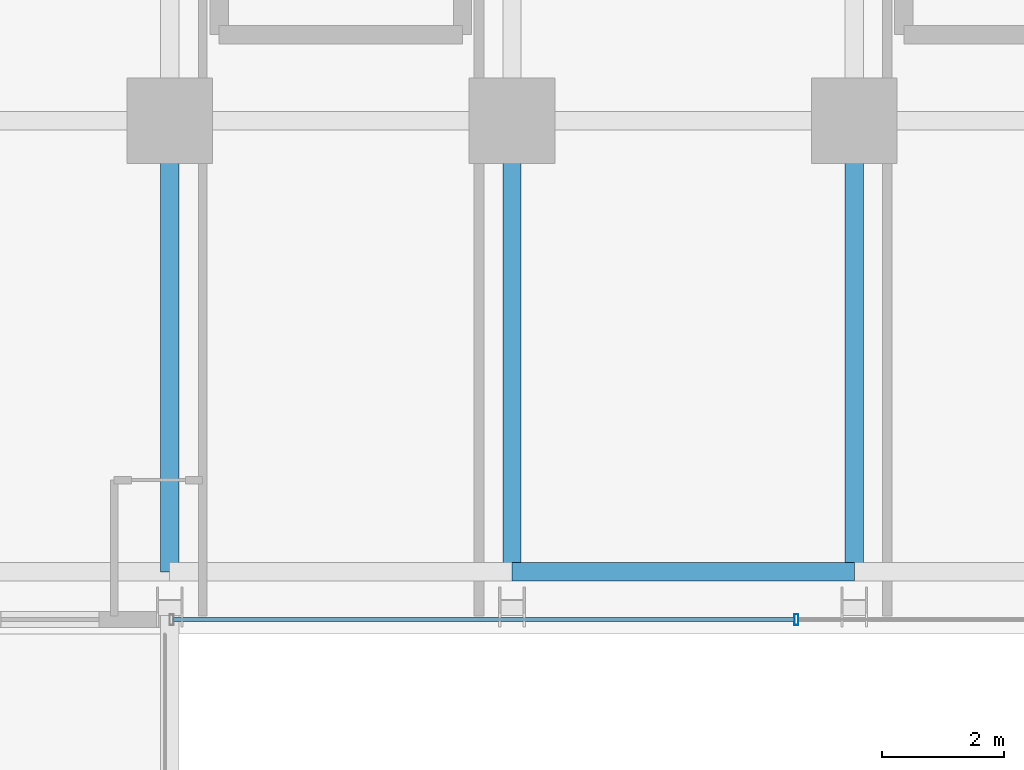
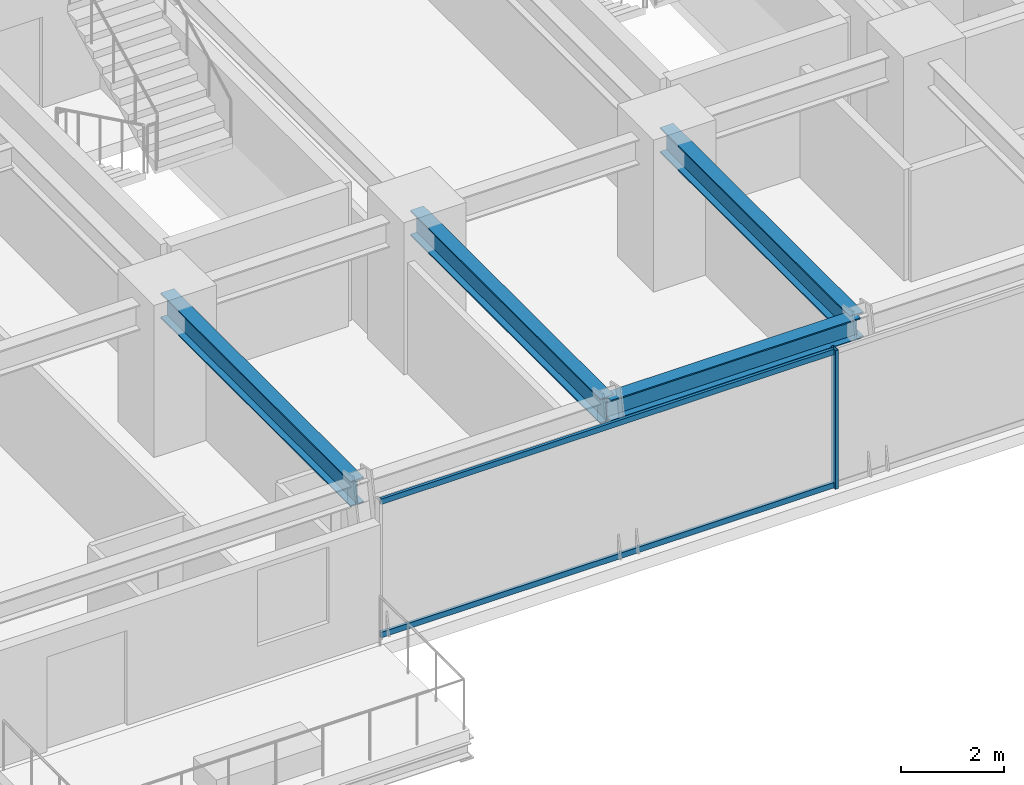
# One storey, part 6 of 35: 4 beams, 3 members, 1 element without a shape of its own.
"""IFC4 building model written with IfcOpenShell, lengths in metres."""

from ifc_helpers import new_model, si_unit, direction, frame, origin, origin_2d, place, context, subcontext, project, spatial, hollow_rectangle, i_section, extrude, source, transform, mapped, material, material_profile, profile_set, type_object, element, aggregate, save


model = new_model("IFC4")

# Units and contexts
model_context = context("Model", 3, precision=1e-05, world=origin(), true_north=direction((0.0, 1.0)))
body_context = subcontext(model_context, "Body", "Model", "MODEL_VIEW")
ifc_project = project(units=[si_unit("LENGTHUNIT", "METRE"), si_unit("AREAUNIT", "SQUARE_METRE"), si_unit("VOLUMEUNIT", "CUBIC_METRE"), si_unit("PLANEANGLEUNIT", "RADIAN"), si_unit("MASSUNIT", "GRAM", prefix="KILO")], contexts=[model_context])

# Site, building, storey
site_placement = place(None, origin())
site = spatial("IfcSite", under=ifc_project, at=site_placement, CompositionType="ELEMENT")
building_placement = place(site_placement, origin())
building = spatial("IfcBuilding", under=site, at=building_placement, Name="Nahalor Promenade Grand Hotel", CompositionType="ELEMENT")
storey_placement = place(building_placement, frame((0.0, 0.0, 79.85009765625)))
storey = spatial("IfcBuildingStorey", under=building, at=storey_placement, Name="L19", CompositionType="ELEMENT", Elevation=79.85009765625)

# Beams
ifc_material_1 = material(Name="Steel S355JR", Category="steel")
ifc_material_profile_1 = material_profile(ifc_material_1, i_section(OverallWidth=0.3, OverallDepth=0.5, WebThickness=0.0145, FlangeThickness=0.028, at=origin_2d()), Name="HEB 500")
ifc_profile_set_1 = profile_set([ifc_material_profile_1], Name="Steel S355JR")
beam_type_1 = type_object("IfcBeamType", Name="Beam-Spandrel-HEB500", PredefinedType="SPANDREL", material=ifc_profile_set_1)
shared_shape_1 = source(origin(), body_context, "Body", "SweptSolid", [
    extrude(i_section(OverallWidth=0.3, OverallDepth=0.5, WebThickness=0.0145, FlangeThickness=0.028, at=origin_2d()), origin(), (0.0, 0.0, 1.0), 5.60009765625),
])
beam_placement = place(storey_placement, frame((-2.800048828125, -24.3798828125, 3.039794921875), z_axis=(1.0, 0.0, 0.0), x_axis=(0.0, 1.0, 0.0)))
element("IfcBeam", 1, at=beam_placement, inside=storey, type_object=beam_type_1, Name="BM-L19-SP-S-2", PredefinedType="SPANDREL", context=body_context, shape_type="MappedRepresentation", body=[
    mapped(shared_shape_1, transform((0.0, 0.0, 0.0), scale=1.0)),
])
ifc_material_profile_2 = material_profile(ifc_material_1, i_section(OverallWidth=0.3, OverallDepth=0.6, WebThickness=0.0155, FlangeThickness=0.03, at=origin_2d()), Name="HEB 600")
ifc_profile_set_2 = profile_set([ifc_material_profile_2], Name="Steel S355JR")
beam_type_2 = type_object("IfcBeamType", Name="Beam-Girder-HEB600", PredefinedType="BEAM", material=ifc_profile_set_2)
shared_shape_2 = source(origin(), body_context, "Body", "SweptSolid", [
    extrude(i_section(OverallWidth=0.3, OverallDepth=0.6, WebThickness=0.0155, FlangeThickness=0.03, at=origin_2d()), origin(), (0.0, 0.0, 1.0), 7.3798828125),
])
for number, where, z_axis, x_axis, name in (
    (2, (-8.39990234375, -24.3798828125, 2.989990234375), (0.0, 1.0, 0.0), (-1.0, 0.0, 0.0), "BM-L19-GY-1-0"),
    (3, (-2.800048828125, -24.3798828125, 2.989990234375), (0.0, 1.0, 0.0), (-1.0, 0.0, 0.0), "BM-L19-GY-2-0"),
    (4, (2.800048828125, -24.3798828125, 2.989990234375), (0.0, 1.0, 0.0), (-1.0, 0.0, 0.0), "BM-L19-GY-3-0"),
):
    element("IfcBeam", number, at=place(storey_placement, frame(where, z_axis=z_axis, x_axis=x_axis)), inside=storey, type_object=beam_type_2, Name=name, PredefinedType="BEAM", context=body_context, shape_type="MappedRepresentation", body=[
        mapped(shared_shape_2, transform((0.0, 0.0, 0.0), scale=1.0)),
    ])

# Curtain wall, members
ifc_material_2 = material(Name="Anodised Bronze Aluminium EN AW-6063 T6", Category="aluminium")
curtain_wall_type = type_object("IfcCurtainWallType", Name="CW2 Typical Hotel Flush Bronze Unitised Curtain Wall", PredefinedType="USERDEFINED", material=ifc_material_2)
curtain_wall_placement = place(storey_placement, origin())
curtain_wall = element("IfcCurtainWall", 5, at=curtain_wall_placement, inside=storey, type_object=curtain_wall_type, Name="L19 Curtain Wall CW-L19-S-3", ObjectType="UNITISED_CURTAIN_WALL", PredefinedType="USERDEFINED")
ifc_material_profile_3 = material_profile(ifc_material_2, hollow_rectangle(XDim=0.065, YDim=0.13, WallThickness=0.004, at=origin_2d()), Name="CWT 65x130x4")
ifc_profile_set_3 = profile_set([ifc_material_profile_3], Name="Anodised Bronze Aluminium EN AW-6063 T6")
member_type_1 = type_object("IfcMemberType", Name="CWT2 Typical Bronze Transom 65x130", PredefinedType="USERDEFINED", material=ifc_profile_set_3)
shared_shape_3 = source(origin(), body_context, "Body", "SweptSolid", [
    extrude(hollow_rectangle(XDim=0.065, YDim=0.13, WallThickness=0.004, at=origin_2d()), origin(), (0.0, 0.0, 1.0), 10.15576171875),
])
member_1_placement = place(storey_placement, frame((-8.3349609375, -25.159912109375, 0.06494140625), z_axis=(1.0, 0.0, 0.0), x_axis=(0.0, 1.0, 0.0)))
member_1 = element("IfcMember", 6, at=member_1_placement, type_object=member_type_1, Name="CW-L19-S-3 Transom 0-0", ObjectType="TRANSOM", PredefinedType="USERDEFINED", context=body_context, shape_type="MappedRepresentation", body=[
    mapped(shared_shape_3, transform((0.0, 0.0, 0.0), scale=1.0)),
])
member_2_placement = place(storey_placement, frame((-8.3349609375, -25.159912109375, 3.224853515625), z_axis=(1.0, 0.0, 0.0), x_axis=(0.0, 1.0, 0.0)))
member_2 = element("IfcMember", 7, at=member_2_placement, type_object=member_type_1, Name="CW-L19-S-3 Transom 0-1", ObjectType="TRANSOM", PredefinedType="USERDEFINED", context=body_context, shape_type="MappedRepresentation", body=[
    mapped(shared_shape_3, transform((0.0, 0.0, 0.0), scale=1.0)),
])
ifc_material_profile_4 = material_profile(ifc_material_2, hollow_rectangle(XDim=0.065, YDim=0.18, WallThickness=0.004, at=origin_2d()), Name="CWM 65x180x4")
ifc_profile_set_4 = profile_set([ifc_material_profile_4], Name="Anodised Bronze Aluminium EN AW-6063 T6")
member_type_2 = type_object("IfcMemberType", Name="CWM2 Typical Bronze Mullion 65x180", PredefinedType="MULLION", material=ifc_profile_set_4)
shared_shape_4 = source(origin(), body_context, "Body", "SweptSolid", [
    extrude(hollow_rectangle(XDim=0.065, YDim=0.18, WallThickness=0.004, at=origin_2d()), origin(), (0.0, 0.0, 1.0), 3.289794921875),
])
member_3_placement = place(storey_placement, frame((1.853271484375, -25.159912109375, 0.0), z_axis=(0.0, 0.0, 1.0), x_axis=(1.0, 0.0, 0.0)))
member_3 = element("IfcMember", 8, at=member_3_placement, type_object=member_type_2, Name="CW-L19-S-3 Mullion 1", PredefinedType="MULLION", context=body_context, shape_type="MappedRepresentation", body=[
    mapped(shared_shape_4, transform((0.0, 0.0, 0.0), scale=1.0)),
])
aggregate(curtain_wall, [member_3, member_1, member_2])

save(model, "model.ifc")
